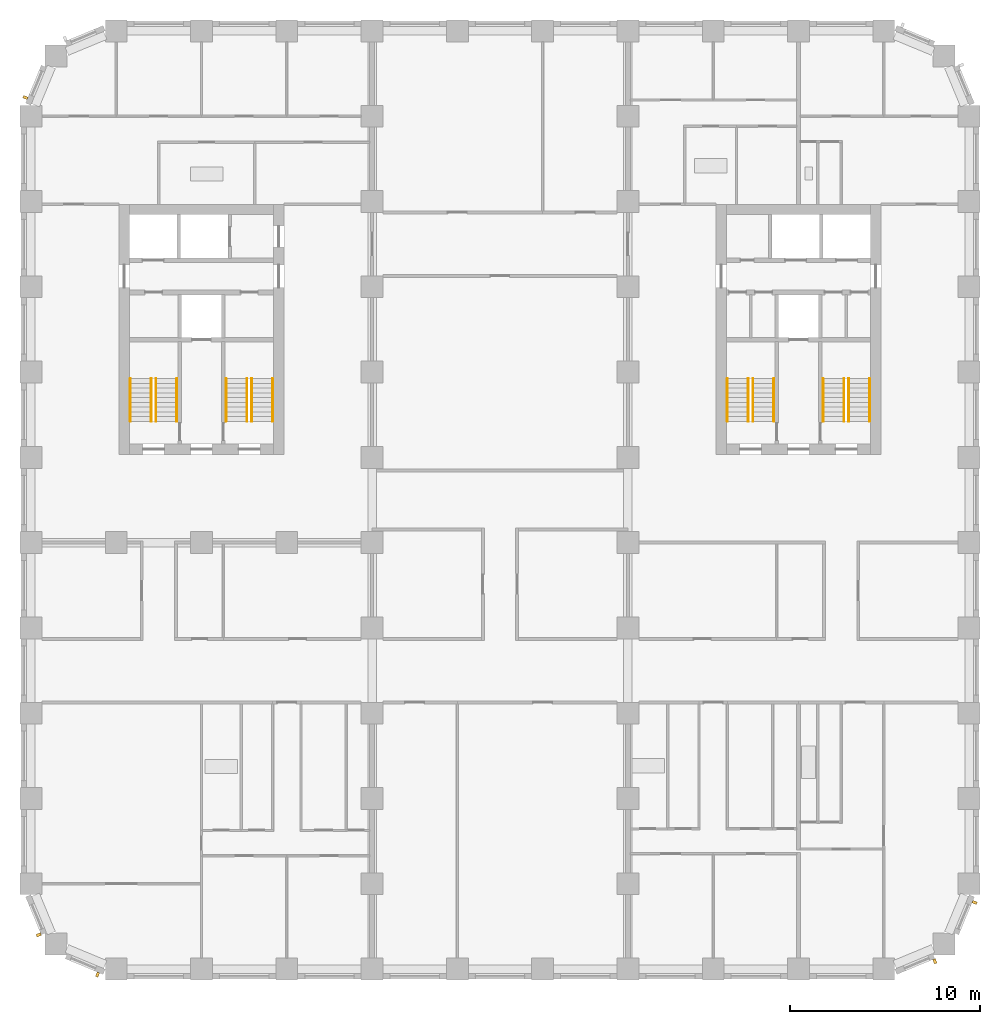
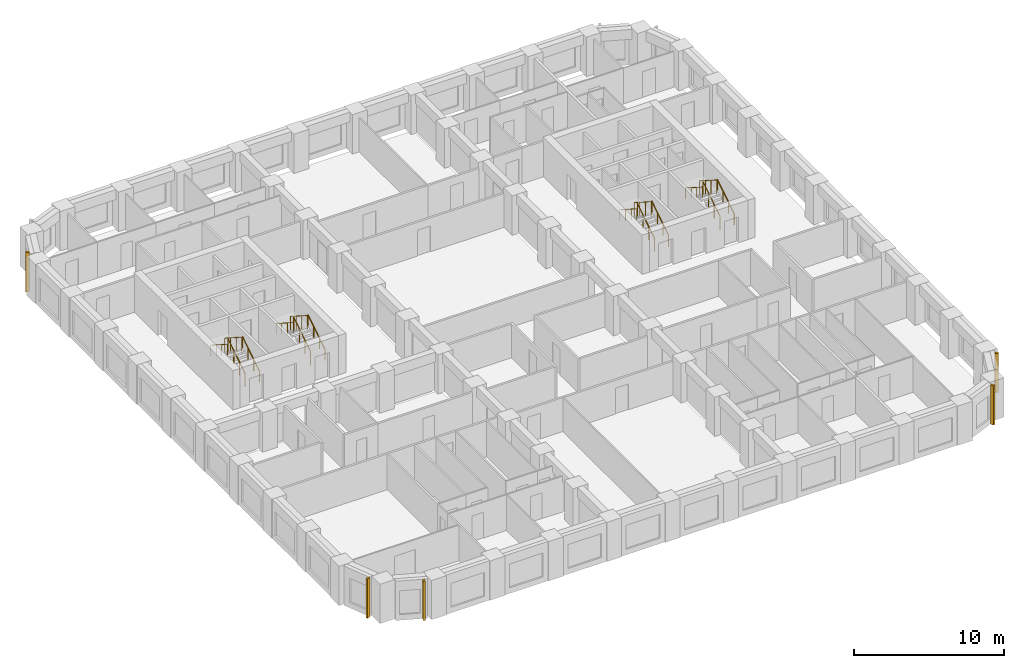
# One storey, part 10 of 12: 16 railings, 5 shading devices.
"""IFC4 building model written with IfcOpenShell, lengths in metres."""

from ifc_helpers import new_model, si_unit, direction, frame, origin, origin_2d, place, context, subcontext, project, spatial, rectangle, circle, extrude, material, type_object, element, save


model = new_model("IFC4")

# Units and contexts
model_context = context("Model", 3, precision=1e-05, world=origin(), true_north=direction((0.0, 1.0)))
body_context = subcontext(model_context, "Body", "Model", "MODEL_VIEW")
ifc_project = project(units=[si_unit("LENGTHUNIT", "METRE"), si_unit("AREAUNIT", "SQUARE_METRE"), si_unit("VOLUMEUNIT", "CUBIC_METRE"), si_unit("PLANEANGLEUNIT", "RADIAN"), si_unit("MASSUNIT", "GRAM", prefix="KILO")], contexts=[model_context])

# Site, building, storey
site_placement = place(None, origin())
site = spatial("IfcSite", under=ifc_project, at=site_placement, CompositionType="ELEMENT")
building_placement = place(site_placement, origin())
building = spatial("IfcBuilding", under=site, at=building_placement, Name="Girih Gate Residences", CompositionType="ELEMENT")
storey_placement = place(building_placement, frame((0.0, 0.0, 115.199951171875)))
storey = spatial("IfcBuildingStorey", under=building, at=storey_placement, Name="L32", CompositionType="ELEMENT", Elevation=115.199951171875)

# Shading devices
ifc_material_1 = material(Name="Precast concrete C50/60", Category="concrete")
shading_device_type = type_object("IfcShadingDeviceType", Name="Corner rib 150x250", PredefinedType="USERDEFINED", material=ifc_material_1)
for number, where, z_axis, x_axis, name in (
    (1, (0.412353515625, 1.8056640625, 0.0), (0.0, 0.0, 1.0), (0.382683432365, -0.923879532511, 0.0), "Corner rib SW0000_0045.0"),
    (2, (3.514892578125, -0.29541015625, 0.0), (0.0, 0.0, 1.0), (0.923879532511, -0.382683432365, 0.0), "Corner rib SW0013_0013.0"),
    (3, (47.6943359375, 0.412353515625, 0.0), (0.0, 0.0, 1.0), (0.923879532511, 0.382683432365, 0.0), "Corner rib SE0450_0000.0"),
    (4, (49.79541015625, 3.514892578125, 0.0), (0.0, 0.0, 1.0), (0.382683432365, 0.923879532511, 0.0), "Corner rib SE0482_0013.0"),
    (5, (-0.29541015625, 45.985107421875, 0.0), (0.0, 0.0, 1.0), (-0.382683432365, -0.923879532511, 0.0), "Corner rib NW0013_0482.0"),
):
    element("IfcShadingDevice", number, at=place(storey_placement, frame(where, z_axis=z_axis, x_axis=x_axis)), inside=storey, type_object=shading_device_type, Name=name, ObjectType="FIN", PredefinedType="USERDEFINED", context=body_context, shape_type="SweptSolid", body=[
        extrude(rectangle(XDim=0.14990234375, YDim=0.25, at=origin_2d()), origin(), (0.0, 0.0, 1.0), 3.199951171875),
    ])

# Railings
ifc_material_2 = material(Name="Stainless steel", Category="steel")
railing_type_1 = type_object("IfcRailingType", Name="Stair guard 1100", PredefinedType="GUARDRAIL", material=ifc_material_2)
railing_1_placement = place(storey_placement, frame((6.60009765625, 28.89990234375, 0.16015625)))
element("IfcRailing", 6, at=railing_1_placement, inside=storey, type_object=railing_type_1, Name="L32 ST-W1 stair guard 1", PredefinedType="GUARDRAIL", context=body_context, shape_type="SweptSolid", body=[
    extrude(circle(Radius=0.02392578125, at=origin_2d()), frame((0.0, 0.0, 1.076171875), z_axis=(0.0, 0.842281359387, 0.539038135598), x_axis=(-1.0, 0.0, 0.0)), (0.0, 0.0, 1.0), 2.67138671875),
    extrude(circle(Radius=0.02099609375, at=origin_2d()), origin(), (0.0, 0.0, 1.0), 1.052001953125),
    extrude(circle(Radius=0.02099609375, at=origin_2d()), frame((0.0, 0.75, 0.47998046875)), (0.0, 0.0, 1.0), 1.052001953125),
    extrude(circle(Radius=0.02099609375, at=origin_2d()), frame((0.0, 1.5, 0.9599609375)), (0.0, 0.0, 1.0), 1.052001953125),
    extrude(circle(Radius=0.02099609375, at=origin_2d()), frame((0.0, 2.25, 1.43994140625)), (0.0, 0.0, 1.0), 1.052001953125),
])
railing_2_placement = place(storey_placement, frame((6.35009765625, 31.14990234375, 1.760009765625)))
element("IfcRailing", 7, at=railing_2_placement, inside=storey, type_object=railing_type_1, Name="L32 ST-W1 stair guard 2", PredefinedType="GUARDRAIL", context=body_context, shape_type="SweptSolid", body=[
    extrude(circle(Radius=0.02392578125, at=origin_2d()), frame((0.0, 0.0, 1.076171875), z_axis=(0.0, -0.842281359387, 0.539038135598), x_axis=(1.0, 0.0, 0.0)), (0.0, 0.0, 1.0), 2.67138671875),
    extrude(circle(Radius=0.02099609375, at=origin_2d()), origin(), (0.0, 0.0, 1.0), 1.052001953125),
    extrude(circle(Radius=0.02099609375, at=origin_2d()), frame((0.0, -0.75, 0.47998046875)), (0.0, 0.0, 1.0), 1.052001953125),
    extrude(circle(Radius=0.02099609375, at=origin_2d()), frame((0.0, -1.5, 0.9599609375)), (0.0, 0.0, 1.0), 1.052001953125),
    extrude(circle(Radius=0.02099609375, at=origin_2d()), frame((0.0, -2.25, 1.43994140625)), (0.0, 0.0, 1.0), 1.052001953125),
])
railing_3_placement = place(storey_placement, frame((11.64990234375, 28.89990234375, 0.16015625)))
element("IfcRailing", 8, at=railing_3_placement, inside=storey, type_object=railing_type_1, Name="L32 ST-W2 stair guard 1", PredefinedType="GUARDRAIL", context=body_context, shape_type="SweptSolid", body=[
    extrude(circle(Radius=0.02392578125, at=origin_2d()), frame((0.0, 0.0, 1.076171875), z_axis=(0.0, 0.842281359387, 0.539038135598), x_axis=(-1.0, 0.0, 0.0)), (0.0, 0.0, 1.0), 2.67138671875),
    extrude(circle(Radius=0.02099609375, at=origin_2d()), origin(), (0.0, 0.0, 1.0), 1.052001953125),
    extrude(circle(Radius=0.02099609375, at=origin_2d()), frame((0.0, 0.75, 0.47998046875)), (0.0, 0.0, 1.0), 1.052001953125),
    extrude(circle(Radius=0.02099609375, at=origin_2d()), frame((0.0, 1.5, 0.9599609375)), (0.0, 0.0, 1.0), 1.052001953125),
    extrude(circle(Radius=0.02099609375, at=origin_2d()), frame((0.0, 2.25, 1.43994140625)), (0.0, 0.0, 1.0), 1.052001953125),
])
railing_4_placement = place(storey_placement, frame((11.39990234375, 31.14990234375, 1.760009765625)))
element("IfcRailing", 9, at=railing_4_placement, inside=storey, type_object=railing_type_1, Name="L32 ST-W2 stair guard 2", PredefinedType="GUARDRAIL", context=body_context, shape_type="SweptSolid", body=[
    extrude(circle(Radius=0.02392578125, at=origin_2d()), frame((0.0, 0.0, 1.076171875), z_axis=(0.0, -0.842281359387, 0.539038135598), x_axis=(1.0, 0.0, 0.0)), (0.0, 0.0, 1.0), 2.67138671875),
    extrude(circle(Radius=0.02099609375, at=origin_2d()), origin(), (0.0, 0.0, 1.0), 1.052001953125),
    extrude(circle(Radius=0.02099609375, at=origin_2d()), frame((0.0, -0.75, 0.47998046875)), (0.0, 0.0, 1.0), 1.052001953125),
    extrude(circle(Radius=0.02099609375, at=origin_2d()), frame((0.0, -1.5, 0.9599609375)), (0.0, 0.0, 1.0), 1.052001953125),
    extrude(circle(Radius=0.02099609375, at=origin_2d()), frame((0.0, -2.25, 1.43994140625)), (0.0, 0.0, 1.0), 1.052001953125),
])
railing_5_placement = place(storey_placement, frame((43.14990234375, 28.89990234375, 0.16015625)))
element("IfcRailing", 10, at=railing_5_placement, inside=storey, type_object=railing_type_1, Name="L32 ST-E1 stair guard 1", PredefinedType="GUARDRAIL", context=body_context, shape_type="SweptSolid", body=[
    extrude(circle(Radius=0.02392578125, at=origin_2d()), frame((0.0, 0.0, 1.076171875), z_axis=(0.0, 0.842281359387, 0.539038135598), x_axis=(-1.0, 0.0, 0.0)), (0.0, 0.0, 1.0), 2.67138671875),
    extrude(circle(Radius=0.02099609375, at=origin_2d()), origin(), (0.0, 0.0, 1.0), 1.052001953125),
    extrude(circle(Radius=0.02099609375, at=origin_2d()), frame((0.0, 0.75, 0.47998046875)), (0.0, 0.0, 1.0), 1.052001953125),
    extrude(circle(Radius=0.02099609375, at=origin_2d()), frame((0.0, 1.5, 0.9599609375)), (0.0, 0.0, 1.0), 1.052001953125),
    extrude(circle(Radius=0.02099609375, at=origin_2d()), frame((0.0, 2.25, 1.43994140625)), (0.0, 0.0, 1.0), 1.052001953125),
])
railing_6_placement = place(storey_placement, frame((42.89990234375, 31.14990234375, 1.760009765625)))
element("IfcRailing", 11, at=railing_6_placement, inside=storey, type_object=railing_type_1, Name="L32 ST-E1 stair guard 2", PredefinedType="GUARDRAIL", context=body_context, shape_type="SweptSolid", body=[
    extrude(circle(Radius=0.02392578125, at=origin_2d()), frame((0.0, 0.0, 1.076171875), z_axis=(0.0, -0.842281359387, 0.539038135598), x_axis=(1.0, 0.0, 0.0)), (0.0, 0.0, 1.0), 2.67138671875),
    extrude(circle(Radius=0.02099609375, at=origin_2d()), origin(), (0.0, 0.0, 1.0), 1.052001953125),
    extrude(circle(Radius=0.02099609375, at=origin_2d()), frame((0.0, -0.75, 0.47998046875)), (0.0, 0.0, 1.0), 1.052001953125),
    extrude(circle(Radius=0.02099609375, at=origin_2d()), frame((0.0, -1.5, 0.9599609375)), (0.0, 0.0, 1.0), 1.052001953125),
    extrude(circle(Radius=0.02099609375, at=origin_2d()), frame((0.0, -2.25, 1.43994140625)), (0.0, 0.0, 1.0), 1.052001953125),
])
railing_7_placement = place(storey_placement, frame((38.10009765625, 28.89990234375, 0.16015625)))
element("IfcRailing", 12, at=railing_7_placement, inside=storey, type_object=railing_type_1, Name="L32 ST-E2 stair guard 1", PredefinedType="GUARDRAIL", context=body_context, shape_type="SweptSolid", body=[
    extrude(circle(Radius=0.02392578125, at=origin_2d()), frame((0.0, 0.0, 1.076171875), z_axis=(0.0, 0.842281359387, 0.539038135598), x_axis=(-1.0, 0.0, 0.0)), (0.0, 0.0, 1.0), 2.67138671875),
    extrude(circle(Radius=0.02099609375, at=origin_2d()), origin(), (0.0, 0.0, 1.0), 1.052001953125),
    extrude(circle(Radius=0.02099609375, at=origin_2d()), frame((0.0, 0.75, 0.47998046875)), (0.0, 0.0, 1.0), 1.052001953125),
    extrude(circle(Radius=0.02099609375, at=origin_2d()), frame((0.0, 1.5, 0.9599609375)), (0.0, 0.0, 1.0), 1.052001953125),
    extrude(circle(Radius=0.02099609375, at=origin_2d()), frame((0.0, 2.25, 1.43994140625)), (0.0, 0.0, 1.0), 1.052001953125),
])
railing_8_placement = place(storey_placement, frame((37.85009765625, 31.14990234375, 1.760009765625)))
element("IfcRailing", 13, at=railing_8_placement, inside=storey, type_object=railing_type_1, Name="L32 ST-E2 stair guard 2", PredefinedType="GUARDRAIL", context=body_context, shape_type="SweptSolid", body=[
    extrude(circle(Radius=0.02392578125, at=origin_2d()), frame((0.0, 0.0, 1.076171875), z_axis=(0.0, -0.842281359387, 0.539038135598), x_axis=(1.0, 0.0, 0.0)), (0.0, 0.0, 1.0), 2.67138671875),
    extrude(circle(Radius=0.02099609375, at=origin_2d()), origin(), (0.0, 0.0, 1.0), 1.052001953125),
    extrude(circle(Radius=0.02099609375, at=origin_2d()), frame((0.0, -0.75, 0.47998046875)), (0.0, 0.0, 1.0), 1.052001953125),
    extrude(circle(Radius=0.02099609375, at=origin_2d()), frame((0.0, -1.5, 0.9599609375)), (0.0, 0.0, 1.0), 1.052001953125),
    extrude(circle(Radius=0.02099609375, at=origin_2d()), frame((0.0, -2.25, 1.43994140625)), (0.0, 0.0, 1.0), 1.052001953125),
])
railing_type_2 = type_object("IfcRailingType", Name="Stair handrail 900", PredefinedType="HANDRAIL", material=ifc_material_2)
railing_9_placement = place(storey_placement, frame((7.699951171875, 28.89990234375, 0.16015625)))
element("IfcRailing", 14, at=railing_9_placement, inside=storey, type_object=railing_type_2, Name="L32 ST-W1 stair handrail 1", PredefinedType="HANDRAIL", context=body_context, shape_type="SweptSolid", body=[
    extrude(circle(Radius=0.02392578125, at=origin_2d()), frame((0.0, 0.0, 0.8857421875), z_axis=(0.0, 0.842281359387, 0.539038135598), x_axis=(-1.0, 0.0, 0.0)), (0.0, 0.0, 1.0), 2.67138671875),
    extrude(circle(Radius=0.02099609375, at=origin_2d()), origin(), (0.0, 0.0, 1.0), 0.86181640625),
    extrude(circle(Radius=0.02099609375, at=origin_2d()), frame((0.0, 0.75, 0.47998046875)), (0.0, 0.0, 1.0), 0.86181640625),
    extrude(circle(Radius=0.02099609375, at=origin_2d()), frame((0.0, 1.5, 0.9599609375)), (0.0, 0.0, 1.0), 0.86181640625),
    extrude(circle(Radius=0.02099609375, at=origin_2d()), frame((0.0, 2.25, 1.43994140625)), (0.0, 0.0, 1.0), 0.86181640625),
])
railing_10_placement = place(storey_placement, frame((5.25, 31.14990234375, 1.760009765625)))
element("IfcRailing", 15, at=railing_10_placement, inside=storey, type_object=railing_type_2, Name="L32 ST-W1 stair handrail 2", PredefinedType="HANDRAIL", context=body_context, shape_type="SweptSolid", body=[
    extrude(circle(Radius=0.02392578125, at=origin_2d()), frame((0.0, 0.0, 0.8857421875), z_axis=(0.0, -0.842281359387, 0.539038135598), x_axis=(1.0, 0.0, 0.0)), (0.0, 0.0, 1.0), 2.67138671875),
    extrude(circle(Radius=0.02099609375, at=origin_2d()), origin(), (0.0, 0.0, 1.0), 0.86181640625),
    extrude(circle(Radius=0.02099609375, at=origin_2d()), frame((0.0, -0.75, 0.47998046875)), (0.0, 0.0, 1.0), 0.86181640625),
    extrude(circle(Radius=0.02099609375, at=origin_2d()), frame((0.0, -1.5, 0.9599609375)), (0.0, 0.0, 1.0), 0.86181640625),
    extrude(circle(Radius=0.02099609375, at=origin_2d()), frame((0.0, -2.25, 1.43994140625)), (0.0, 0.0, 1.0), 0.86181640625),
])
railing_11_placement = place(storey_placement, frame((12.75, 28.89990234375, 0.16015625)))
element("IfcRailing", 16, at=railing_11_placement, inside=storey, type_object=railing_type_2, Name="L32 ST-W2 stair handrail 1", PredefinedType="HANDRAIL", context=body_context, shape_type="SweptSolid", body=[
    extrude(circle(Radius=0.02392578125, at=origin_2d()), frame((0.0, 0.0, 0.8857421875), z_axis=(0.0, 0.842281359387, 0.539038135598), x_axis=(-1.0, 0.0, 0.0)), (0.0, 0.0, 1.0), 2.67138671875),
    extrude(circle(Radius=0.02099609375, at=origin_2d()), origin(), (0.0, 0.0, 1.0), 0.86181640625),
    extrude(circle(Radius=0.02099609375, at=origin_2d()), frame((0.0, 0.75, 0.47998046875)), (0.0, 0.0, 1.0), 0.86181640625),
    extrude(circle(Radius=0.02099609375, at=origin_2d()), frame((0.0, 1.5, 0.9599609375)), (0.0, 0.0, 1.0), 0.86181640625),
    extrude(circle(Radius=0.02099609375, at=origin_2d()), frame((0.0, 2.25, 1.43994140625)), (0.0, 0.0, 1.0), 0.86181640625),
])
railing_12_placement = place(storey_placement, frame((10.300048828125, 31.14990234375, 1.760009765625)))
element("IfcRailing", 17, at=railing_12_placement, inside=storey, type_object=railing_type_2, Name="L32 ST-W2 stair handrail 2", PredefinedType="HANDRAIL", context=body_context, shape_type="SweptSolid", body=[
    extrude(circle(Radius=0.02392578125, at=origin_2d()), frame((0.0, 0.0, 0.8857421875), z_axis=(0.0, -0.842281359387, 0.539038135598), x_axis=(1.0, 0.0, 0.0)), (0.0, 0.0, 1.0), 2.67138671875),
    extrude(circle(Radius=0.02099609375, at=origin_2d()), origin(), (0.0, 0.0, 1.0), 0.86181640625),
    extrude(circle(Radius=0.02099609375, at=origin_2d()), frame((0.0, -0.75, 0.47998046875)), (0.0, 0.0, 1.0), 0.86181640625),
    extrude(circle(Radius=0.02099609375, at=origin_2d()), frame((0.0, -1.5, 0.9599609375)), (0.0, 0.0, 1.0), 0.86181640625),
    extrude(circle(Radius=0.02099609375, at=origin_2d()), frame((0.0, -2.25, 1.43994140625)), (0.0, 0.0, 1.0), 0.86181640625),
])
railing_13_placement = place(storey_placement, frame((44.25, 28.89990234375, 0.16015625)))
element("IfcRailing", 18, at=railing_13_placement, inside=storey, type_object=railing_type_2, Name="L32 ST-E1 stair handrail 1", PredefinedType="HANDRAIL", context=body_context, shape_type="SweptSolid", body=[
    extrude(circle(Radius=0.02392578125, at=origin_2d()), frame((0.0, 0.0, 0.8857421875), z_axis=(0.0, 0.842281359387, 0.539038135598), x_axis=(-1.0, 0.0, 0.0)), (0.0, 0.0, 1.0), 2.67138671875),
    extrude(circle(Radius=0.02099609375, at=origin_2d()), origin(), (0.0, 0.0, 1.0), 0.86181640625),
    extrude(circle(Radius=0.02099609375, at=origin_2d()), frame((0.0, 0.75, 0.47998046875)), (0.0, 0.0, 1.0), 0.86181640625),
    extrude(circle(Radius=0.02099609375, at=origin_2d()), frame((0.0, 1.5, 0.9599609375)), (0.0, 0.0, 1.0), 0.86181640625),
    extrude(circle(Radius=0.02099609375, at=origin_2d()), frame((0.0, 2.25, 1.43994140625)), (0.0, 0.0, 1.0), 0.86181640625),
])
railing_14_placement = place(storey_placement, frame((41.800048828125, 31.14990234375, 1.760009765625)))
element("IfcRailing", 19, at=railing_14_placement, inside=storey, type_object=railing_type_2, Name="L32 ST-E1 stair handrail 2", PredefinedType="HANDRAIL", context=body_context, shape_type="SweptSolid", body=[
    extrude(circle(Radius=0.02392578125, at=origin_2d()), frame((0.0, 0.0, 0.8857421875), z_axis=(0.0, -0.842281359387, 0.539038135598), x_axis=(1.0, 0.0, 0.0)), (0.0, 0.0, 1.0), 2.67138671875),
    extrude(circle(Radius=0.02099609375, at=origin_2d()), origin(), (0.0, 0.0, 1.0), 0.86181640625),
    extrude(circle(Radius=0.02099609375, at=origin_2d()), frame((0.0, -0.75, 0.47998046875)), (0.0, 0.0, 1.0), 0.86181640625),
    extrude(circle(Radius=0.02099609375, at=origin_2d()), frame((0.0, -1.5, 0.9599609375)), (0.0, 0.0, 1.0), 0.86181640625),
    extrude(circle(Radius=0.02099609375, at=origin_2d()), frame((0.0, -2.25, 1.43994140625)), (0.0, 0.0, 1.0), 0.86181640625),
])
railing_15_placement = place(storey_placement, frame((39.199951171875, 28.89990234375, 0.16015625)))
element("IfcRailing", 20, at=railing_15_placement, inside=storey, type_object=railing_type_2, Name="L32 ST-E2 stair handrail 1", PredefinedType="HANDRAIL", context=body_context, shape_type="SweptSolid", body=[
    extrude(circle(Radius=0.02392578125, at=origin_2d()), frame((0.0, 0.0, 0.8857421875), z_axis=(0.0, 0.842281359387, 0.539038135598), x_axis=(-1.0, 0.0, 0.0)), (0.0, 0.0, 1.0), 2.67138671875),
    extrude(circle(Radius=0.02099609375, at=origin_2d()), origin(), (0.0, 0.0, 1.0), 0.86181640625),
    extrude(circle(Radius=0.02099609375, at=origin_2d()), frame((0.0, 0.75, 0.47998046875)), (0.0, 0.0, 1.0), 0.86181640625),
    extrude(circle(Radius=0.02099609375, at=origin_2d()), frame((0.0, 1.5, 0.9599609375)), (0.0, 0.0, 1.0), 0.86181640625),
    extrude(circle(Radius=0.02099609375, at=origin_2d()), frame((0.0, 2.25, 1.43994140625)), (0.0, 0.0, 1.0), 0.86181640625),
])
railing_16_placement = place(storey_placement, frame((36.75, 31.14990234375, 1.760009765625)))
element("IfcRailing", 21, at=railing_16_placement, inside=storey, type_object=railing_type_2, Name="L32 ST-E2 stair handrail 2", PredefinedType="HANDRAIL", context=body_context, shape_type="SweptSolid", body=[
    extrude(circle(Radius=0.02392578125, at=origin_2d()), frame((0.0, 0.0, 0.8857421875), z_axis=(0.0, -0.842281359387, 0.539038135598), x_axis=(1.0, 0.0, 0.0)), (0.0, 0.0, 1.0), 2.67138671875),
    extrude(circle(Radius=0.02099609375, at=origin_2d()), origin(), (0.0, 0.0, 1.0), 0.86181640625),
    extrude(circle(Radius=0.02099609375, at=origin_2d()), frame((0.0, -0.75, 0.47998046875)), (0.0, 0.0, 1.0), 0.86181640625),
    extrude(circle(Radius=0.02099609375, at=origin_2d()), frame((0.0, -1.5, 0.9599609375)), (0.0, 0.0, 1.0), 0.86181640625),
    extrude(circle(Radius=0.02099609375, at=origin_2d()), frame((0.0, -2.25, 1.43994140625)), (0.0, 0.0, 1.0), 0.86181640625),
])

save(model, "model.ifc")
